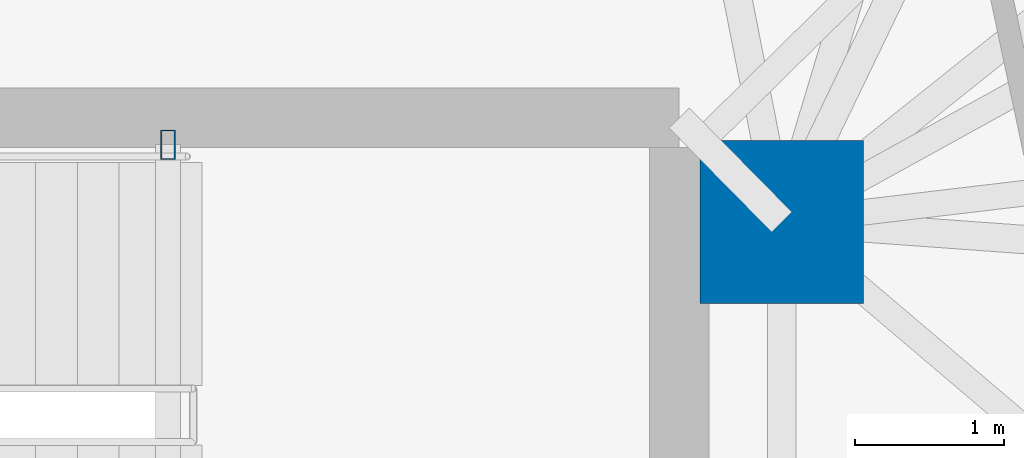
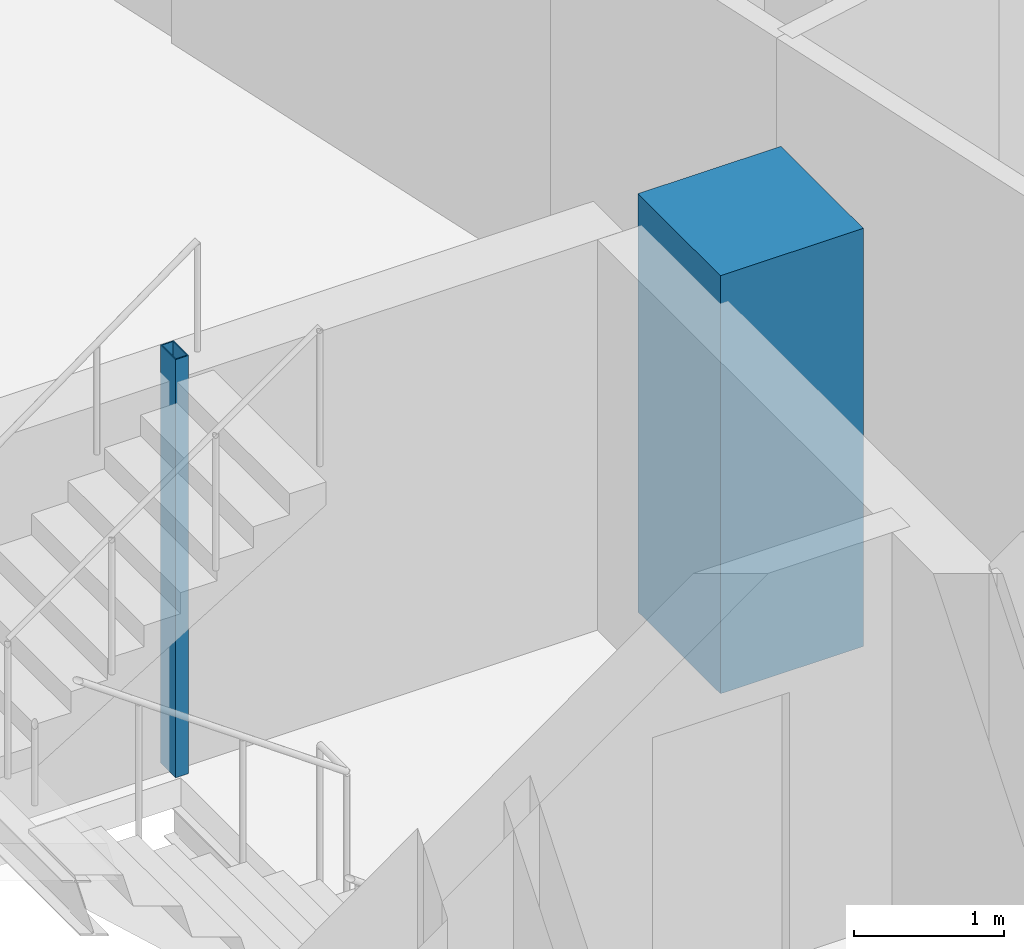
# One storey, part 4 of 19: 2 columns.
"""IFC4 building model written with IfcOpenShell, lengths in metres."""

from ifc_helpers import new_model, si_unit, direction, frame, origin, origin_2d, place, context, subcontext, project, spatial, rectangle, hollow_rectangle, extrude, material, material_profile, profile_set, type_object, element, save


model = new_model("IFC4")

# Units and contexts
model_context = context("Model", 3, precision=1e-05, world=origin(), true_north=direction((0.0, 1.0)))
body_context = subcontext(model_context, "Body", "Model", "MODEL_VIEW")
ifc_project = project(units=[si_unit("LENGTHUNIT", "METRE"), si_unit("AREAUNIT", "SQUARE_METRE"), si_unit("VOLUMEUNIT", "CUBIC_METRE"), si_unit("PLANEANGLEUNIT", "RADIAN"), si_unit("MASSUNIT", "GRAM", prefix="KILO")], contexts=[model_context])

# Site, building, storey
site_placement = place(None, origin())
site = spatial("IfcSite", under=ifc_project, at=site_placement, CompositionType="ELEMENT")
building_placement = place(site_placement, origin())
building = spatial("IfcBuilding", under=site, at=building_placement, Name="Menara Jurai Vektor", CompositionType="ELEMENT")
storey_placement = place(building_placement, frame((0.0, 0.0, 171.800048828125)))
storey = spatial("IfcBuildingStorey", under=building, at=storey_placement, Name="L44", CompositionType="ELEMENT", Elevation=171.800048828125)

# Columns
ifc_material_1 = material(Name="Concrete C50/60", Category="concrete")
ifc_material_profile_1 = material_profile(ifc_material_1, rectangle(XDim=1.10009765625, YDim=1.10009765625, at=origin_2d()), Name="RC 1100x1100")
ifc_profile_set_1 = profile_set([ifc_material_profile_1], Name="Concrete C50/60")
column_type_1 = type_object("IfcColumnType", Name="STR-COL-RC1100", PredefinedType="COLUMN", material=ifc_profile_set_1)
column_1_placement = place(storey_placement, frame((15.25, 4.89990234375, 0.0), z_axis=(0.0, 0.0, 1.0), x_axis=(1.0, 0.0, 0.0)))
element("IfcColumn", 1, at=column_1_placement, inside=storey, type_object=column_type_1, Name="Core Spine Column CE-NE L44", PredefinedType="COLUMN", context=body_context, shape_type="SweptSolid", body=[
    extrude(rectangle(XDim=1.10009765625, YDim=1.10009765625, at=origin_2d()), origin(), (0.0, 0.0, 1.0), 3.39990234375),
])
ifc_material_2 = material(Name="Steel S355", Category="steel")
ifc_material_profile_2 = material_profile(ifc_material_2, hollow_rectangle(XDim=0.10009765625, YDim=0.199951171875, WallThickness=0.008056640625, at=origin_2d()), Name="RHS 200x100x8")
ifc_profile_set_2 = profile_set([ifc_material_profile_2], Name="Steel S355")
column_type_2 = type_object("IfcColumnType", Name="STR-COL-STAIR", PredefinedType="COLUMN", material=ifc_profile_set_2)
column_2_placement = place(storey_placement, frame((11.1201171875, 5.419921875, 0.0), z_axis=(0.0, 0.0, 1.0), x_axis=(1.0, 0.0, 0.0)))
element("IfcColumn", 2, at=column_2_placement, inside=storey, type_object=column_type_2, Name="Stair Well Header Column ST2-P2 L44", PredefinedType="COLUMN", context=body_context, shape_type="SweptSolid", body=[
    extrude(hollow_rectangle(XDim=0.10009765625, YDim=0.199951171875, WallThickness=0.008056640625, at=origin_2d()), origin(), (0.0, 0.0, 1.0), 3.39990234375),
])

save(model, "model.ifc")
